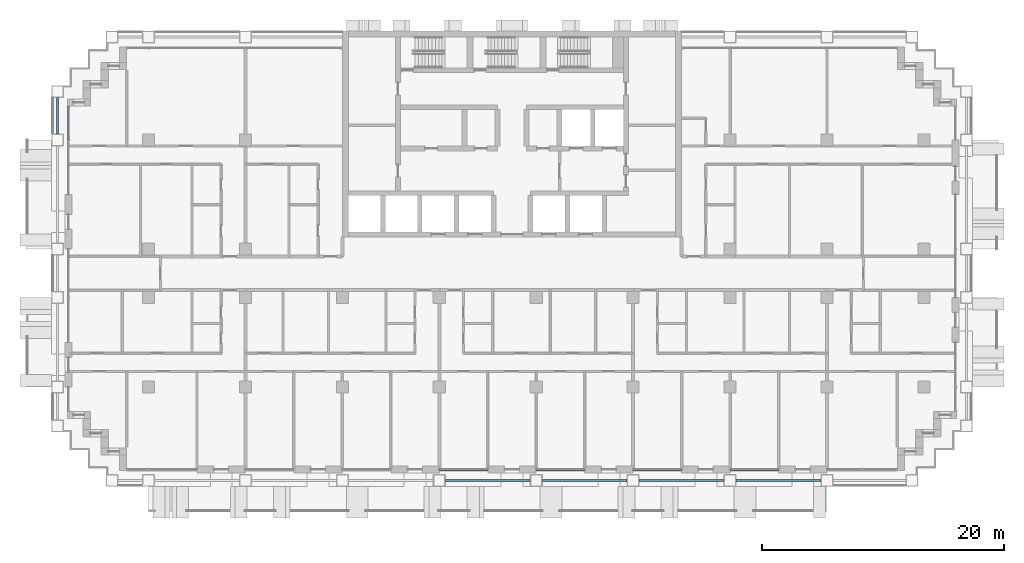
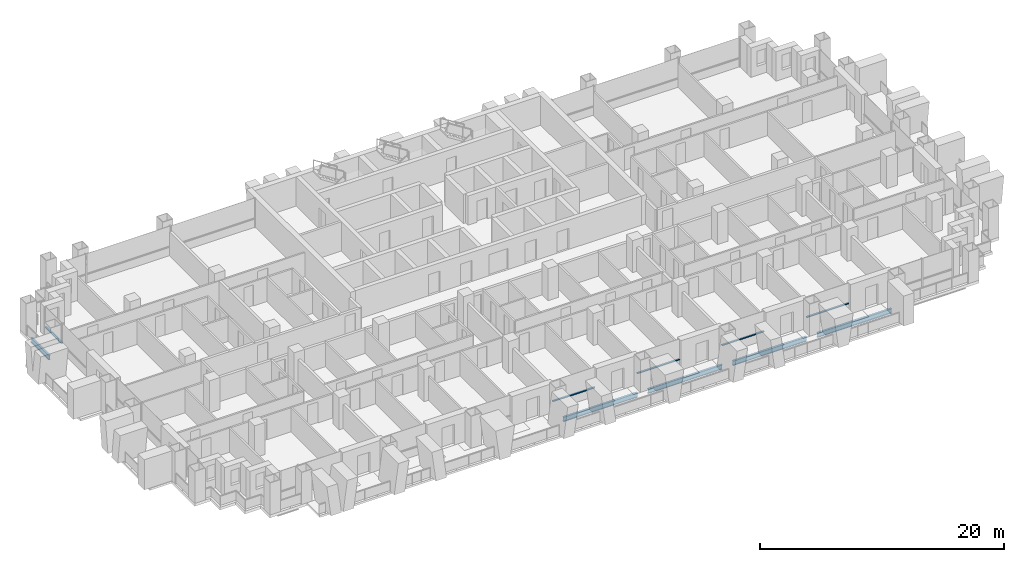
# One storey, part 3 of 19: 5 beams, 5 members, 5 elements without a shape of their own.
"""IFC4 building model written with IfcOpenShell, lengths in metres."""

from ifc_helpers import new_model, si_unit, direction, frame, origin, origin_2d, place, context, subcontext, project, spatial, rectangle, i_section, extrude, material, material_profile, profile_set, type_object, element, aggregate, save


model = new_model("IFC4")

# Units and contexts
model_context = context("Model", 3, precision=1e-05, world=origin(), true_north=direction((0.0, 1.0)))
body_context = subcontext(model_context, "Body", "Model", "MODEL_VIEW")
ifc_project = project(units=[si_unit("LENGTHUNIT", "METRE"), si_unit("AREAUNIT", "SQUARE_METRE"), si_unit("VOLUMEUNIT", "CUBIC_METRE"), si_unit("PLANEANGLEUNIT", "RADIAN"), si_unit("MASSUNIT", "GRAM", prefix="KILO")], contexts=[model_context])

# Site, building, storey
site_placement = place(None, origin())
site = spatial("IfcSite", under=ifc_project, at=site_placement, CompositionType="ELEMENT")
building_placement = place(site_placement, origin())
building = spatial("IfcBuilding", under=site, at=building_placement, Name="Vidyagriha Tower", CompositionType="ELEMENT")
storey_placement = place(building_placement, frame((0.0, 0.0, 57.60009765625)))
storey = spatial("IfcBuildingStorey", under=building, at=storey_placement, Name="L15", CompositionType="ELEMENT", Elevation=57.60009765625)

# Beams
ifc_material_1 = material(Name="Steel ASTM A992 Grade 50", Category="steel")
ifc_material_profile_1 = material_profile(ifc_material_1, i_section(OverallWidth=0.19189453125, OverallDepth=0.46240234375, WebThickness=0.010498046875, FlangeThickness=0.017578125, at=origin_2d()), Name="W18X60")
ifc_profile_set_1 = profile_set([ifc_material_profile_1], Name="Steel ASTM A992 Grade 50")
beam_type = type_object("IfcBeamType", Name="Edge beam W18X60", PredefinedType="SPANDREL", material=ifc_profile_set_1)
for number, where, z_axis, x_axis, name in (
    (1, (-5.5, -17.10009765625, -0.51123046875), (1.0, 0.0, 0.0), (0.0, 1.0, 0.0), "st-beam-L15-S05"),
    (2, (2.5, -17.10009765625, -0.51123046875), (1.0, 0.0, 0.0), (0.0, 1.0, 0.0), "st-beam-L15-S06"),
    (3, (10.5, -17.10009765625, -0.51123046875), (1.0, 0.0, 0.0), (0.0, 1.0, 0.0), "st-beam-L15-S07"),
    (4, (18.5, -17.10009765625, -0.51123046875), (1.0, 0.0, 0.0), (0.0, 1.0, 0.0), "st-beam-L15-S08"),
):
    element("IfcBeam", number, at=place(storey_placement, frame(where, z_axis=z_axis, x_axis=x_axis)), inside=storey, type_object=beam_type, Name=name, PredefinedType="SPANDREL", context=body_context, shape_type="SweptSolid", body=[
        extrude(i_section(OverallWidth=0.19189453125, OverallDepth=0.46240234375, WebThickness=0.010498046875, FlangeThickness=0.017578125, at=origin_2d()), origin(), (0.0, 0.0, 1.0), 7.0),
    ])
beam_placement = place(storey_placement, frame((-37.5, 11.5, -0.51123046875), z_axis=(0.0, 1.0, 0.0), x_axis=(-1.0, 0.0, 0.0)))
element("IfcBeam", 5, at=beam_placement, inside=storey, type_object=beam_type, Name="st-beam-L15-W14", PredefinedType="SPANDREL", context=body_context, shape_type="SweptSolid", body=[
    extrude(i_section(OverallWidth=0.19189453125, OverallDepth=0.46240234375, WebThickness=0.010498046875, FlangeThickness=0.017578125, at=origin_2d()), origin(), (0.0, 0.0, 1.0), 3.0),
])

# Curtain wall, member
ifc_material_2 = material(Name="Aluminium and glass curtain wall", Category="aluminium")
curtain_wall_type = type_object("IfcCurtainWallType", Name="Dwelling skin unitised curtain wall", PredefinedType="USERDEFINED", material=ifc_material_2)
curtain_wall_1_placement = place(storey_placement, origin())
curtain_wall_1 = element("IfcCurtainWall", 6, at=curtain_wall_1_placement, inside=storey, type_object=curtain_wall_type, Name="CW1 dwelling skin", ObjectType="UNITISED", PredefinedType="USERDEFINED")
ifc_material_3 = material(Name="Aluminium black anodised", Category="aluminium")
ifc_material_profile_2 = material_profile(ifc_material_3, rectangle(XDim=0.159912109375, YDim=0.10009765625, at=origin_2d()), Name="Transom 100x160 black aluminium")
ifc_profile_set_2 = profile_set([ifc_material_profile_2], Name="Aluminium black anodised")
member_type = type_object("IfcMemberType", Name="Transom 100x160 black aluminium", PredefinedType="USERDEFINED", material=ifc_profile_set_2)
member_1_placement = place(storey_placement, frame((-36.60009765625, 13.72998046875, 0.89990234375), z_axis=(0.0, -1.0, 0.0), x_axis=(1.0, 0.0, 0.0)))
member_1 = element("IfcMember", 7, at=member_1_placement, type_object=member_type, Name="CW1 transom 1.1", ObjectType="TRANSOM", PredefinedType="USERDEFINED", context=body_context, shape_type="SweptSolid", body=[
    extrude(rectangle(XDim=0.159912109375, YDim=0.10009765625, at=origin_2d()), origin(), (0.0, 0.0, 1.0), 2.695068359375),
])
aggregate(curtain_wall_1, [member_1])

curtain_wall_2_placement = place(storey_placement, origin())
curtain_wall_2 = element("IfcCurtainWall", 8, at=curtain_wall_2_placement, inside=storey, type_object=curtain_wall_type, Name="CW1 dwelling skin", ObjectType="UNITISED", PredefinedType="USERDEFINED")
member_2_placement = place(storey_placement, frame((-6.0, -16.199951171875, 0.89990234375), z_axis=(1.0, 0.0, 0.0), x_axis=(0.0, 1.0, 0.0)))
member_2 = element("IfcMember", 9, at=member_2_placement, type_object=member_type, Name="CW1 transom 1.1", ObjectType="TRANSOM", PredefinedType="USERDEFINED", context=body_context, shape_type="SweptSolid", body=[
    extrude(rectangle(XDim=0.159912109375, YDim=0.10009765625, at=origin_2d()), origin(), (0.0, 0.0, 1.0), 4.0),
])
aggregate(curtain_wall_2, [member_2])

curtain_wall_3_placement = place(storey_placement, origin())
curtain_wall_3 = element("IfcCurtainWall", 10, at=curtain_wall_3_placement, inside=storey, type_object=curtain_wall_type, Name="CW1 dwelling skin", ObjectType="UNITISED", PredefinedType="USERDEFINED")
member_3_placement = place(storey_placement, frame((2.0, -16.199951171875, 0.89990234375), z_axis=(1.0, 0.0, 0.0), x_axis=(0.0, 1.0, 0.0)))
member_3 = element("IfcMember", 11, at=member_3_placement, type_object=member_type, Name="CW1 transom 1.1", ObjectType="TRANSOM", PredefinedType="USERDEFINED", context=body_context, shape_type="SweptSolid", body=[
    extrude(rectangle(XDim=0.159912109375, YDim=0.10009765625, at=origin_2d()), origin(), (0.0, 0.0, 1.0), 4.0),
])
aggregate(curtain_wall_3, [member_3])

curtain_wall_4_placement = place(storey_placement, origin())
curtain_wall_4 = element("IfcCurtainWall", 12, at=curtain_wall_4_placement, inside=storey, type_object=curtain_wall_type, Name="CW1 dwelling skin", ObjectType="UNITISED", PredefinedType="USERDEFINED")
member_4_placement = place(storey_placement, frame((10.0, -16.199951171875, 0.89990234375), z_axis=(1.0, 0.0, 0.0), x_axis=(0.0, 1.0, 0.0)))
member_4 = element("IfcMember", 13, at=member_4_placement, type_object=member_type, Name="CW1 transom 1.1", ObjectType="TRANSOM", PredefinedType="USERDEFINED", context=body_context, shape_type="SweptSolid", body=[
    extrude(rectangle(XDim=0.159912109375, YDim=0.10009765625, at=origin_2d()), origin(), (0.0, 0.0, 1.0), 4.0),
])
aggregate(curtain_wall_4, [member_4])

curtain_wall_5_placement = place(storey_placement, origin())
curtain_wall_5 = element("IfcCurtainWall", 14, at=curtain_wall_5_placement, inside=storey, type_object=curtain_wall_type, Name="CW1 dwelling skin", ObjectType="UNITISED", PredefinedType="USERDEFINED")
member_5_placement = place(storey_placement, frame((18.0, -16.199951171875, 0.89990234375), z_axis=(1.0, 0.0, 0.0), x_axis=(0.0, 1.0, 0.0)))
member_5 = element("IfcMember", 15, at=member_5_placement, type_object=member_type, Name="CW1 transom 1.1", ObjectType="TRANSOM", PredefinedType="USERDEFINED", context=body_context, shape_type="SweptSolid", body=[
    extrude(rectangle(XDim=0.159912109375, YDim=0.10009765625, at=origin_2d()), origin(), (0.0, 0.0, 1.0), 4.0),
])
aggregate(curtain_wall_5, [member_5])

save(model, "model.ifc")
